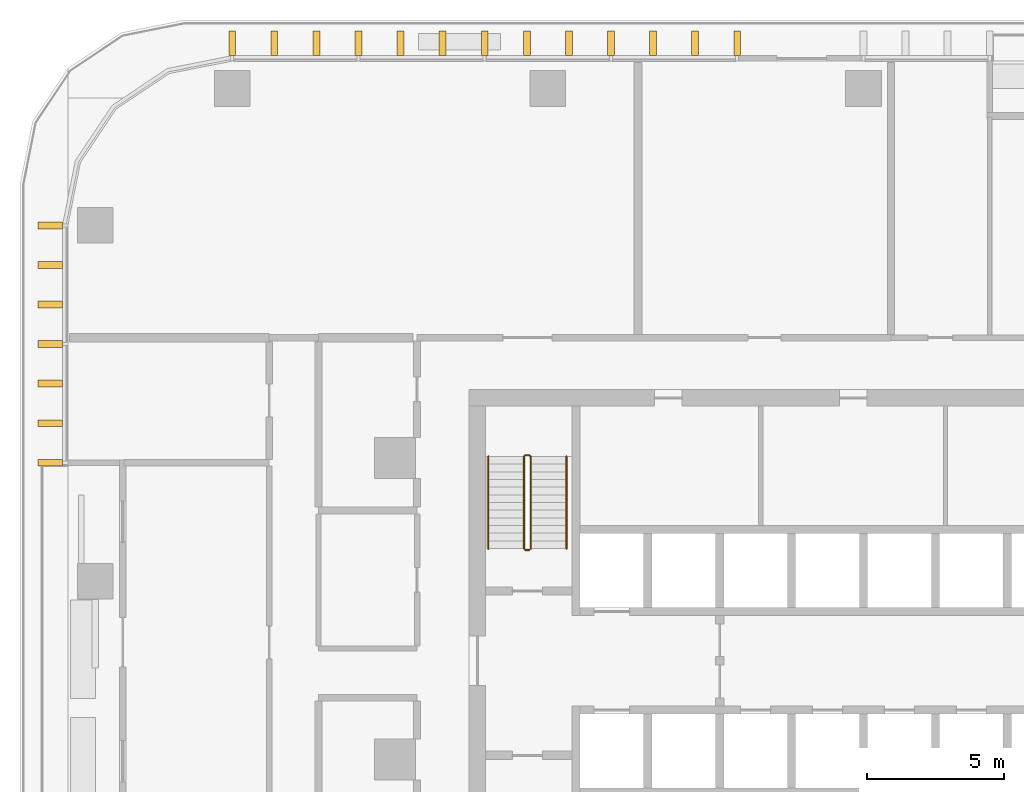
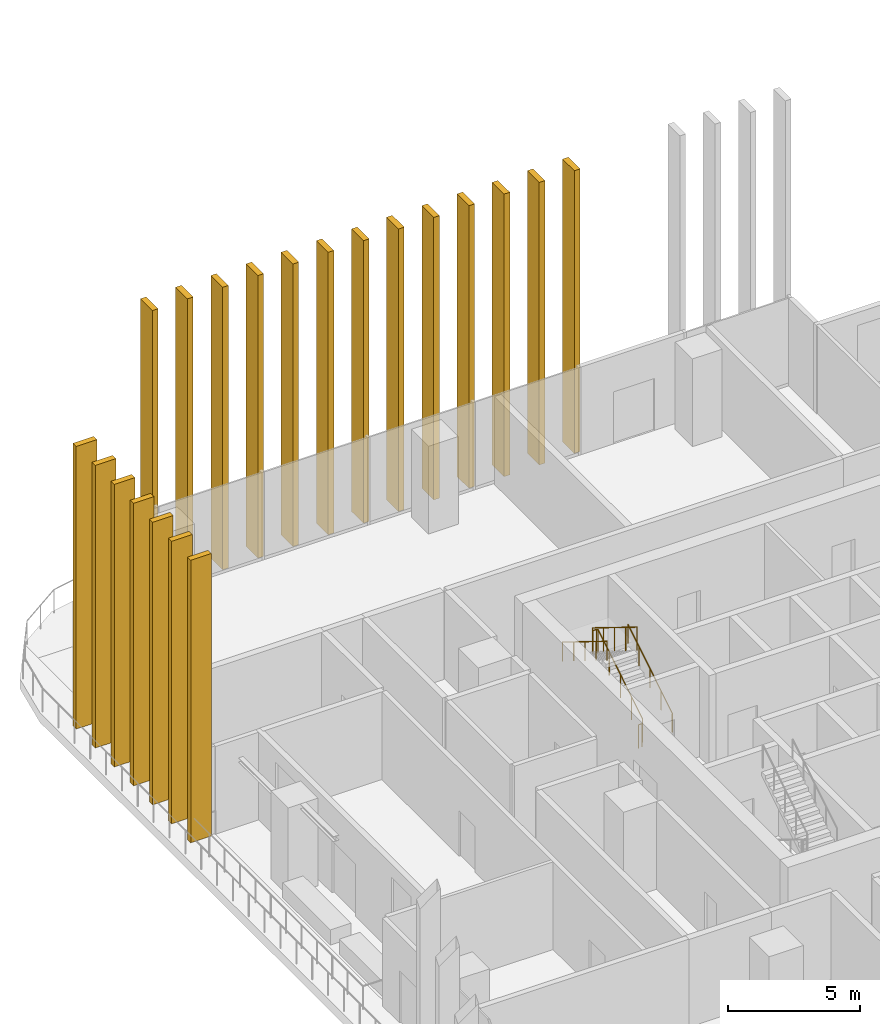
# One storey, part 16 of 18: 20 shading devices, 5 railings.
"""IFC4 building model written with IfcOpenShell, lengths in metres."""

from ifc_helpers import new_model, si_unit, direction, frame, origin, origin_2d, place, context, subcontext, project, spatial, rectangle, circle, extrude, material, type_object, element, save


model = new_model("IFC4")

# Units and contexts
model_context = context("Model", 3, precision=1e-05, world=origin(), true_north=direction((0.0, 1.0)))
body_context = subcontext(model_context, "Body", "Model", "MODEL_VIEW")
ifc_project = project(units=[si_unit("LENGTHUNIT", "METRE"), si_unit("AREAUNIT", "SQUARE_METRE"), si_unit("VOLUMEUNIT", "CUBIC_METRE"), si_unit("PLANEANGLEUNIT", "RADIAN"), si_unit("MASSUNIT", "GRAM", prefix="KILO")], contexts=[model_context])

# Site, building, storey
site_placement = place(None, origin())
site = spatial("IfcSite", under=ifc_project, at=site_placement, CompositionType="ELEMENT")
building_placement = place(site_placement, origin())
building = spatial("IfcBuilding", under=site, at=building_placement, Name="Mopane Tessera Tower", CompositionType="ELEMENT")
storey_placement = place(building_placement, frame((0.0, 0.0, 94.60009765625)))
storey = spatial("IfcBuildingStorey", under=building, at=storey_placement, Name="L18", CompositionType="ELEMENT", Elevation=94.60009765625)

# Shading devices
ifc_material_1 = material(Name="Glazed ceramic tile")
shading_device_type = type_object("IfcShadingDeviceType", Name="Ceramic tile fin 900 x 250 mm", PredefinedType="USERDEFINED", material=ifc_material_1)
for number, where, z_axis, x_axis, name in (
    (1, (-4.610107421875, 26.14990234375, 0.0), (0.0, 0.0, 1.0), (-1.0, 0.0, 0.0), "e:fin:L18:N:6:0"),
    (2, (-6.146728515625, 26.14990234375, 0.0), (0.0, 0.0, 1.0), (-1.0, 0.0, 0.0), "e:fin:L18:N:6:1"),
    (3, (-7.683349609375, 26.14990234375, 0.0), (0.0, 0.0, 1.0), (-1.0, 0.0, 0.0), "e:fin:L18:N:6:2"),
    (4, (-9.219970703125, 26.14990234375, 0.0), (0.0, 0.0, 1.0), (-1.0, 0.0, 0.0), "e:fin:L18:N:7:0"),
    (5, (-10.756591796875, 26.14990234375, 0.0), (0.0, 0.0, 1.0), (-1.0, 0.0, 0.0), "e:fin:L18:N:7:1"),
    (6, (-12.293212890625, 26.14990234375, 0.0), (0.0, 0.0, 1.0), (-1.0, 0.0, 0.0), "e:fin:L18:N:7:2"),
    (7, (-13.830078125, 26.14990234375, 0.0), (0.0, 0.0, 1.0), (-1.0, 0.0, 0.0), "e:fin:L18:N:8:0"),
    (8, (-15.36669921875, 26.14990234375, 0.0), (0.0, 0.0, 1.0), (-1.0, 0.0, 0.0), "e:fin:L18:N:8:1"),
    (9, (-16.9033203125, 26.14990234375, 0.0), (0.0, 0.0, 1.0), (-1.0, 0.0, 0.0), "e:fin:L18:N:8:2"),
    (10, (-18.43994140625, 26.14990234375, 0.0), (0.0, 0.0, 1.0), (-1.0, 0.0, 0.0), "e:fin:L18:N:9:0"),
    (11, (-19.9765625, 26.14990234375, 0.0), (0.0, 0.0, 1.0), (-1.0, 0.0, 0.0), "e:fin:L18:N:9:1"),
    (12, (-21.513427734375, 26.14990234375, 0.0), (0.0, 0.0, 1.0), (-1.0, 0.0, 0.0), "e:fin:L18:N:9:2"),
    (13, (-23.050048828125, 26.14990234375, 0.0), (0.0, 0.0, 1.0), (-1.0, 0.0, 0.0), "e:fin:L18:N:9:3"),
    (14, (-29.699951171875, 19.5, 0.0), (0.0, 0.0, 1.0), (0.0, -1.0, 0.0), "e:fin:L18:W:0:0"),
    (15, (-29.699951171875, 18.0556640625, 0.0), (0.0, 0.0, 1.0), (0.0, -1.0, 0.0), "e:fin:L18:W:0:1"),
    (16, (-29.699951171875, 16.611083984375, 0.0), (0.0, 0.0, 1.0), (0.0, -1.0, 0.0), "e:fin:L18:W:0:2"),
    (17, (-29.699951171875, 15.166748046875, 0.0), (0.0, 0.0, 1.0), (0.0, -1.0, 0.0), "e:fin:L18:W:1:0"),
    (18, (-29.699951171875, 13.72216796875, 0.0), (0.0, 0.0, 1.0), (0.0, -1.0, 0.0), "e:fin:L18:W:1:1"),
    (19, (-29.699951171875, 12.27783203125, 0.0), (0.0, 0.0, 1.0), (0.0, -1.0, 0.0), "e:fin:L18:W:1:2"),
    (20, (-29.699951171875, 10.833251953125, 0.0), (0.0, 0.0, 1.0), (0.0, -1.0, 0.0), "e:fin:L18:W:1:3"),
):
    element("IfcShadingDevice", number, at=place(storey_placement, frame(where, z_axis=z_axis, x_axis=x_axis)), inside=storey, type_object=shading_device_type, Name=name, ObjectType="FIN", PredefinedType="USERDEFINED", context=body_context, shape_type="SweptSolid", body=[
        extrude(rectangle(XDim=0.25, YDim=0.89990234375, at=origin_2d()), origin(), (0.0, 0.0, 1.0), 13.050048828125),
    ])

# Railings
ifc_material_2 = material(Name="Powder-coated steel balustrade", Category="steel")
railing_type_1 = type_object("IfcRailingType", Name="Escape stair guard 1100 mm", PredefinedType="GUARDRAIL", material=ifc_material_2)
railing_1_placement = place(storey_placement, frame((-12.14990234375, 7.699951171875, 0.173095703125)))
element("IfcRailing", 21, at=railing_1_placement, inside=storey, type_object=railing_type_1, Name="L18 ST2 stair guard 1", PredefinedType="GUARDRAIL", context=body_context, shape_type="SweptSolid", body=[
    extrude(circle(Radius=0.02392578125, at=origin_2d()), frame((0.0, 0.0, 1.076171875), z_axis=(0.0, 0.850623216509, 0.525775754039), x_axis=(-1.0, 0.0, 0.0)), (0.0, 0.0, 1.0), 3.9501953125),
    extrude(circle(Radius=0.02392578125, at=origin_2d()), frame((0.0, 3.360107421875, 3.15283203125), z_axis=(-0.707106781187, 0.707106781187, 0.0), x_axis=(-0.707106781187, -0.707106781187, 0.0)), (0.0, 0.0, 1.0), 0.07080078125),
    extrude(circle(Radius=0.02392578125, at=origin_2d()), frame((-0.050048828125, 3.41015625, 3.15283203125), z_axis=(-1.0, 0.0, 0.0), x_axis=(0.0, -1.0, 0.0)), (0.0, 0.0, 1.0), 0.150146484375),
    extrude(circle(Radius=0.02099609375, at=origin_2d()), origin(), (0.0, 0.0, 1.0), 1.052001953125),
    extrude(circle(Radius=0.02099609375, at=origin_2d()), frame((0.0, 0.840087890625, 0.519287109375)), (0.0, 0.0, 1.0), 1.052001953125),
    extrude(circle(Radius=0.02099609375, at=origin_2d()), frame((0.0, 1.68017578125, 1.03857421875)), (0.0, 0.0, 1.0), 1.052001953125),
    extrude(circle(Radius=0.02099609375, at=origin_2d()), frame((0.0, 2.52001953125, 1.5576171875)), (0.0, 0.0, 1.0), 1.052001953125),
    extrude(circle(Radius=0.02099609375, at=origin_2d()), frame((0.0, 3.360107421875, 2.076904296875)), (0.0, 0.0, 1.0), 1.052001953125),
    extrude(circle(Radius=0.02099609375, at=origin_2d()), frame((-0.050048828125, 3.41015625, 2.076904296875)), (0.0, 0.0, 1.0), 1.052001953125),
    extrude(circle(Radius=0.02099609375, at=origin_2d()), frame((-0.2001953125, 3.41015625, 2.076904296875)), (0.0, 0.0, 1.0), 1.052001953125),
])
railing_2_placement = place(storey_placement, frame((-12.39990234375, 11.06005859375, 2.423095703125)))
element("IfcRailing", 22, at=railing_2_placement, inside=storey, type_object=railing_type_1, Name="L18 ST2 stair guard 2", PredefinedType="GUARDRAIL", context=body_context, shape_type="SweptSolid", body=[
    extrude(circle(Radius=0.02392578125, at=origin_2d()), frame((0.0, 0.0, 1.076171875), z_axis=(0.0, -0.850623216509, 0.525775754039), x_axis=(1.0, 0.0, 0.0)), (0.0, 0.0, 1.0), 3.9501953125),
    extrude(circle(Radius=0.02099609375, at=origin_2d()), origin(), (0.0, 0.0, 1.0), 1.052001953125),
    extrude(circle(Radius=0.02099609375, at=origin_2d()), frame((0.0, -0.840087890625, 0.519287109375)), (0.0, 0.0, 1.0), 1.052001953125),
    extrude(circle(Radius=0.02099609375, at=origin_2d()), frame((0.0, -1.68017578125, 1.03857421875)), (0.0, 0.0, 1.0), 1.052001953125),
    extrude(circle(Radius=0.02099609375, at=origin_2d()), frame((0.0, -2.52001953125, 1.5576171875)), (0.0, 0.0, 1.0), 1.052001953125),
    extrude(circle(Radius=0.02099609375, at=origin_2d()), frame((0.0, -3.360107421875, 2.076904296875)), (0.0, 0.0, 1.0), 1.052001953125),
])
railing_3_placement = place(storey_placement, frame((-12.199951171875, 7.64990234375, 0.0)))
element("IfcRailing", 23, at=railing_3_placement, inside=storey, type_object=railing_type_1, Name="L18 ST2 stair guard 3", PredefinedType="GUARDRAIL", context=body_context, shape_type="SweptSolid", body=[
    extrude(circle(Radius=0.02392578125, at=origin_2d()), frame((0.0, 0.0, 1.076171875), z_axis=(-1.0, 0.0, 0.0), x_axis=(0.0, -1.0, 0.0)), (0.0, 0.0, 1.0), 0.150146484375),
    extrude(circle(Radius=0.02099609375, at=origin_2d()), origin(), (0.0, 0.0, 1.0), 1.052001953125),
    extrude(circle(Radius=0.02099609375, at=origin_2d()), frame((-0.150146484375, 0.0, 0.0)), (0.0, 0.0, 1.0), 1.052001953125),
])
ifc_material_3 = material(Name="Powder-coated steel balustrade", Category="steel")
railing_type_2 = type_object("IfcRailingType", Name="Escape stair handrail 900 mm", PredefinedType="HANDRAIL", material=ifc_material_3)
railing_4_placement = place(storey_placement, frame((-10.85009765625, 7.699951171875, 0.173095703125)))
element("IfcRailing", 24, at=railing_4_placement, inside=storey, type_object=railing_type_2, Name="L18 ST2 stair handrail 1", PredefinedType="HANDRAIL", context=body_context, shape_type="SweptSolid", body=[
    extrude(circle(Radius=0.02392578125, at=origin_2d()), frame((0.0, 0.0, 0.8759765625), z_axis=(0.0, 0.850623216509, 0.525775754039), x_axis=(-1.0, 0.0, 0.0)), (0.0, 0.0, 1.0), 3.9501953125),
    extrude(circle(Radius=0.02099609375, at=origin_2d()), origin(), (0.0, 0.0, 1.0), 0.851806640625),
    extrude(circle(Radius=0.02099609375, at=origin_2d()), frame((0.0, 0.840087890625, 0.519287109375)), (0.0, 0.0, 1.0), 0.851806640625),
    extrude(circle(Radius=0.02099609375, at=origin_2d()), frame((0.0, 1.68017578125, 1.03857421875)), (0.0, 0.0, 1.0), 0.851806640625),
    extrude(circle(Radius=0.02099609375, at=origin_2d()), frame((0.0, 2.52001953125, 1.5576171875)), (0.0, 0.0, 1.0), 0.851806640625),
    extrude(circle(Radius=0.02099609375, at=origin_2d()), frame((0.0, 3.360107421875, 2.076904296875)), (0.0, 0.0, 1.0), 0.851806640625),
])
railing_5_placement = place(storey_placement, frame((-13.699951171875, 11.06005859375, 2.423095703125)))
element("IfcRailing", 25, at=railing_5_placement, inside=storey, type_object=railing_type_2, Name="L18 ST2 stair handrail 2", PredefinedType="HANDRAIL", context=body_context, shape_type="SweptSolid", body=[
    extrude(circle(Radius=0.02392578125, at=origin_2d()), frame((0.0, 0.0, 0.8759765625), z_axis=(0.0, -0.850623216509, 0.525775754039), x_axis=(1.0, 0.0, 0.0)), (0.0, 0.0, 1.0), 3.9501953125),
    extrude(circle(Radius=0.02099609375, at=origin_2d()), origin(), (0.0, 0.0, 1.0), 0.851806640625),
    extrude(circle(Radius=0.02099609375, at=origin_2d()), frame((0.0, -0.840087890625, 0.519287109375)), (0.0, 0.0, 1.0), 0.851806640625),
    extrude(circle(Radius=0.02099609375, at=origin_2d()), frame((0.0, -1.68017578125, 1.03857421875)), (0.0, 0.0, 1.0), 0.851806640625),
    extrude(circle(Radius=0.02099609375, at=origin_2d()), frame((0.0, -2.52001953125, 1.5576171875)), (0.0, 0.0, 1.0), 0.851806640625),
    extrude(circle(Radius=0.02099609375, at=origin_2d()), frame((0.0, -3.360107421875, 2.076904296875)), (0.0, 0.0, 1.0), 0.851806640625),
])

save(model, "model.ifc")
